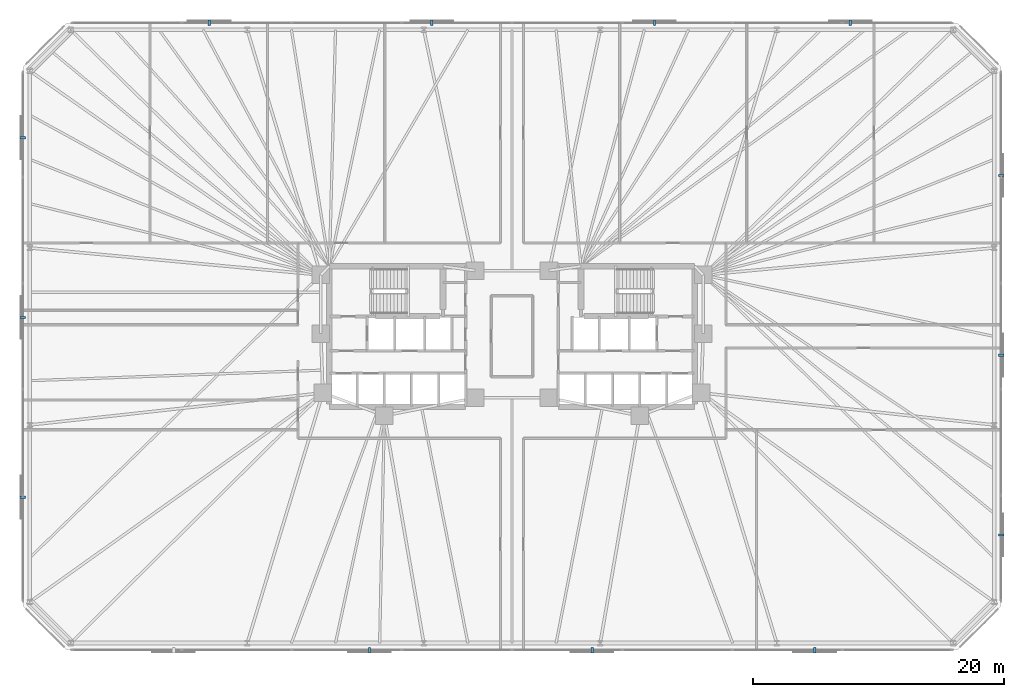
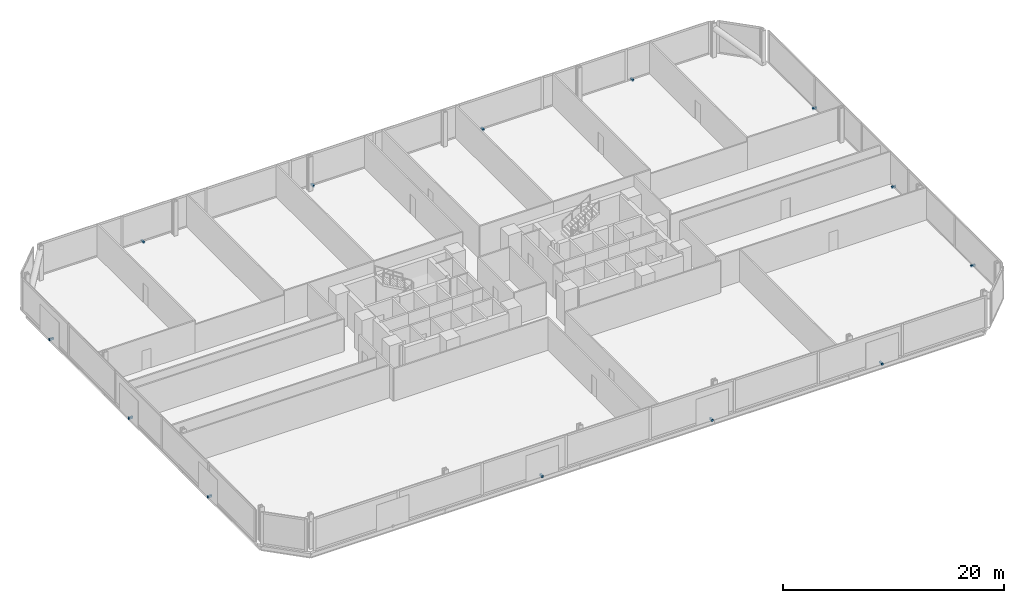
# One storey, part 15 of 16: 13 discrete accessories.
"""IFC4 building model written with IfcOpenShell, lengths in metres."""

from ifc_helpers import new_model, si_unit, direction, frame, origin, origin_2d, place, context, subcontext, project, spatial, rectangle, extrude, material, type_object, element, save


model = new_model("IFC4")

# Units and contexts
model_context = context("Model", 3, precision=1e-05, world=origin(), true_north=direction((0.0, 1.0)))
body_context = subcontext(model_context, "Body", "Model", "MODEL_VIEW")
ifc_project = project(units=[si_unit("LENGTHUNIT", "METRE"), si_unit("AREAUNIT", "SQUARE_METRE"), si_unit("VOLUMEUNIT", "CUBIC_METRE"), si_unit("PLANEANGLEUNIT", "RADIAN"), si_unit("MASSUNIT", "GRAM", prefix="KILO")], contexts=[model_context])

# Site, building, storey
site_placement = place(None, origin())
site = spatial("IfcSite", under=ifc_project, at=site_placement, CompositionType="ELEMENT")
building_placement = place(site_placement, origin())
building = spatial("IfcBuilding", under=site, at=building_placement, Name="Menara Jurai Vektor", CompositionType="ELEMENT")
storey_placement = place(building_placement, frame((0.0, 0.0, 59.800048828125)))
storey = spatial("IfcBuildingStorey", under=building, at=storey_placement, Name="L14", CompositionType="ELEMENT", Elevation=59.800048828125)

# Discrete accessories
ifc_material = material(Name="Steel S355", Category="steel")
discrete_accessory_type = type_object("IfcDiscreteAccessoryType", Name="ENV-ACC-BRACKET", PredefinedType="BRACKET", material=ifc_material)
for number, where, z_axis, x_axis, name in (
    (1, (-11.360107421875, -25.010009765625, -0.1298828125), (0.0, 0.0, 1.0), (1.0, 0.0, 0.0), "Solar Screen Stand-Off Bracket L14-S02"),
    (2, (6.389892578125, -25.010009765625, -0.1298828125), (0.0, 0.0, 1.0), (1.0, 0.0, 0.0), "Solar Screen Stand-Off Bracket L14-S03"),
    (3, (24.139892578125, -25.010009765625, -0.1298828125), (0.0, 0.0, 1.0), (1.0, 0.0, 0.0), "Solar Screen Stand-Off Bracket L14-S04"),
    (4, (39.010009765625, -15.83837890625, -0.1298828125), (0.0, 0.0, 1.0), (0.0, 1.0, 0.0), "Solar Screen Stand-Off Bracket L14-S05"),
    (5, (39.010009765625, -1.5048828125, -0.1298828125), (0.0, 0.0, 1.0), (0.0, 1.0, 0.0), "Solar Screen Stand-Off Bracket L14-S06"),
    (6, (39.010009765625, 12.828369140625, -0.1298828125), (0.0, 0.0, 1.0), (0.0, 1.0, 0.0), "Solar Screen Stand-Off Bracket L14-S07"),
    (7, (26.97998046875, 25.010009765625, -0.1298828125), (0.0, 0.0, 1.0), (-1.0, 0.0, 0.0), "Solar Screen Stand-Off Bracket L14-S08"),
    (8, (11.360107421875, 25.010009765625, -0.1298828125), (0.0, 0.0, 1.0), (-1.0, 0.0, 0.0), "Solar Screen Stand-Off Bracket L14-S09"),
    (9, (-6.389892578125, 25.010009765625, -0.1298828125), (0.0, 0.0, 1.0), (-1.0, 0.0, 0.0), "Solar Screen Stand-Off Bracket L14-S10"),
    (10, (-24.139892578125, 25.010009765625, -0.1298828125), (0.0, 0.0, 1.0), (-1.0, 0.0, 0.0), "Solar Screen Stand-Off Bracket L14-S11"),
    (11, (-39.010009765625, 15.83837890625, -0.1298828125), (0.0, 0.0, 1.0), (0.0, -1.0, 0.0), "Solar Screen Stand-Off Bracket L14-S12"),
    (12, (-39.010009765625, 1.5048828125, -0.1298828125), (0.0, 0.0, 1.0), (0.0, -1.0, 0.0), "Solar Screen Stand-Off Bracket L14-S13"),
    (13, (-39.010009765625, -12.828369140625, -0.1298828125), (0.0, 0.0, 1.0), (0.0, -1.0, 0.0), "Solar Screen Stand-Off Bracket L14-S14"),
):
    element("IfcDiscreteAccessory", number, at=place(storey_placement, frame(where, z_axis=z_axis, x_axis=x_axis)), inside=storey, type_object=discrete_accessory_type, Name=name, PredefinedType="BRACKET", context=body_context, shape_type="SweptSolid", body=[
        extrude(rectangle(XDim=0.179931640625, YDim=0.43994140625, at=origin_2d()), origin(), (0.0, 0.0, 1.0), 0.219970703125),
    ])

save(model, "model.ifc")
